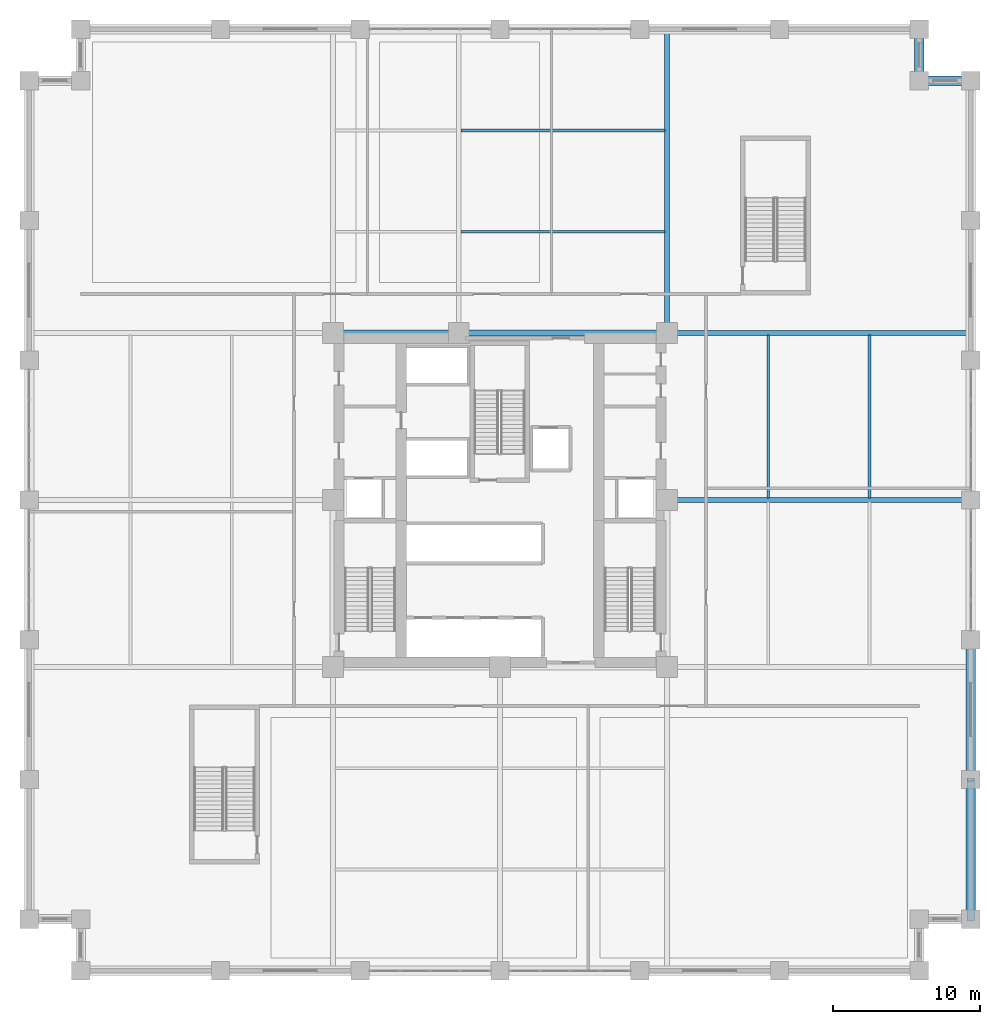
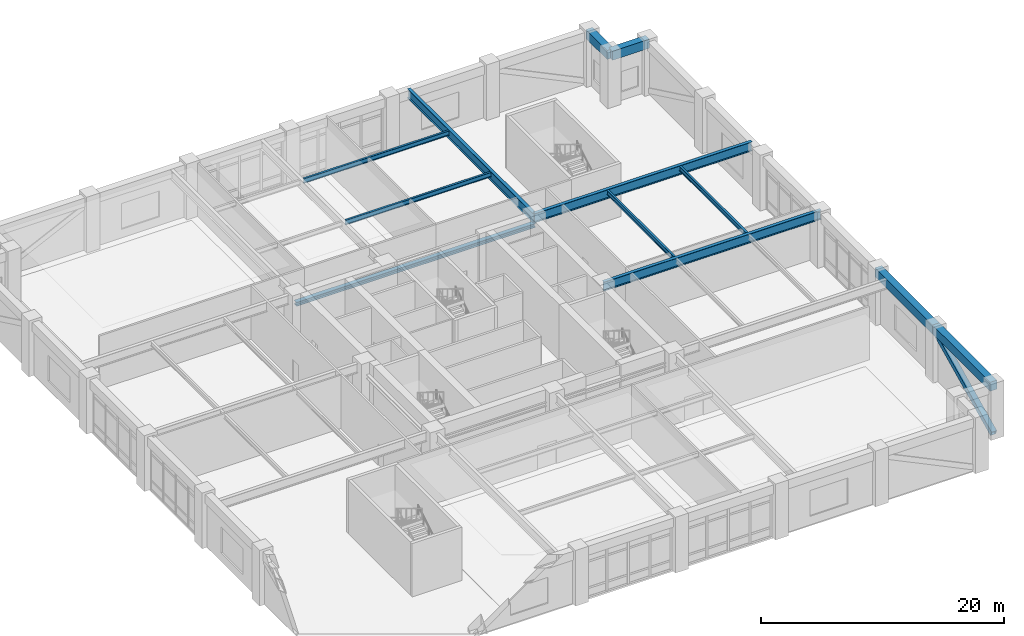
# One storey, part 7 of 21: 11 beams, 2 members.
"""IFC4 building model written with IfcOpenShell, lengths in metres."""

from ifc_helpers import new_model, si_unit, direction, frame, origin, origin_2d, place, context, subcontext, project, spatial, rectangle, hollow_rectangle, i_section, extrude, material, material_profile, profile_set, type_object, element, save


model = new_model("IFC4")

# Units and contexts
model_context = context("Model", 3, precision=1e-05, world=origin(), true_north=direction((0.0, 1.0)))
body_context = subcontext(model_context, "Body", "Model", "MODEL_VIEW")
ifc_project = project(units=[si_unit("LENGTHUNIT", "METRE"), si_unit("AREAUNIT", "SQUARE_METRE"), si_unit("VOLUMEUNIT", "CUBIC_METRE"), si_unit("PLANEANGLEUNIT", "RADIAN"), si_unit("MASSUNIT", "GRAM", prefix="KILO")], contexts=[model_context])

# Site, building, storey
site_placement = place(None, origin())
site = spatial("IfcSite", under=ifc_project, at=site_placement, CompositionType="ELEMENT")
building_placement = place(site_placement, origin())
building = spatial("IfcBuilding", under=site, at=building_placement, Name="Nhamokura Convention Tower", CompositionType="ELEMENT")
storey_placement = place(building_placement, frame((0.0, 0.0, 6.64990234375)))
storey = spatial("IfcBuildingStorey", under=building, at=storey_placement, Name="L01", CompositionType="ELEMENT", Elevation=6.64990234375)

# Beams
ifc_material_1 = material(Name="Steel ASTM A992 Gr 50", Category="steel")
ifc_material_profile_1 = material_profile(ifc_material_1, i_section(OverallWidth=0.19189453125, OverallDepth=0.462890625, WebThickness=0.010498046875, FlangeThickness=0.017578125, at=origin_2d()))
ifc_profile_set_1 = profile_set([ifc_material_profile_1], Name="Steel ASTM A992 Gr 50")
beam_type_1 = type_object("IfcBeamType", Name="FloorJoist_W460X89", PredefinedType="JOIST", material=ifc_profile_set_1)
for number, where, z_axis, x_axis, name in (
    (1, (29.35205078125, 50.2333984375, 5.128662109375), (1.0, 0.0, 0.0), (0.0, 1.0, 0.0), "L01 Composite Floor Joist N1B"),
    (2, (29.35205078125, 57.11669921875, 5.128662109375), (1.0, 0.0, 0.0), (0.0, 1.0, 0.0), "L01 Composite Floor Joist N2B"),
):
    element("IfcBeam", number, at=place(storey_placement, frame(where, z_axis=z_axis, x_axis=x_axis)), inside=storey, type_object=beam_type_1, Name=name, PredefinedType="JOIST", context=body_context, shape_type="SweptSolid", body=[
        extrude(i_section(OverallWidth=0.19189453125, OverallDepth=0.462890625, WebThickness=0.010498046875, FlangeThickness=0.017578125, at=origin_2d()), origin(), (0.0, 0.0, 1.0), 13.845947265625),
    ])
for number, where, z_axis, x_axis, name in (
    (3, (50.2333984375, 32.152099609375, 5.128662109375), (0.0, 1.0, 0.0), (-1.0, 0.0, 0.0), "L01 Composite Floor Joist E1B"),
    (4, (57.11669921875, 32.152099609375, 5.128662109375), (0.0, 1.0, 0.0), (-1.0, 0.0, 0.0), "L01 Composite Floor Joist E2B"),
):
    element("IfcBeam", number, at=place(storey_placement, frame(where, z_axis=z_axis, x_axis=x_axis)), inside=storey, type_object=beam_type_1, Name=name, PredefinedType="JOIST", context=body_context, shape_type="SweptSolid", body=[
        extrude(i_section(OverallWidth=0.19189453125, OverallDepth=0.462890625, WebThickness=0.010498046875, FlangeThickness=0.017578125, at=origin_2d()), origin(), (0.0, 0.0, 1.0), 11.0458984375),
    ])
ifc_material_2 = material(Name="Steel ASTM A992 Gr 50", Category="steel")
ifc_material_profile_2 = material_profile(ifc_material_2, i_section(OverallWidth=0.30810546875, OverallDepth=0.927001953125, WebThickness=0.019287109375, FlangeThickness=0.031982421875, at=origin_2d()))
ifc_profile_set_2 = profile_set([ifc_material_profile_2], Name="Steel ASTM A992 Gr 50")
beam_type_2 = type_object("IfcBeamType", Name="HallGirder_W920X289", PredefinedType="BEAM", material=ifc_profile_set_2)
for number, where, z_axis, x_axis, name in (
    (5, (43.35009765625, 43.35009765625, 4.896484375), (0.0, 1.0, 0.0), (-1.0, 0.0, 0.0), "L01 Primary Floor Girder PG-N3"),
    (6, (43.35009765625, 32.0, 4.896484375), (1.0, 0.0, 0.0), (0.0, 1.0, 0.0), "L01 Primary Floor Girder PG-E2"),
    (7, (43.35009765625, 43.35009765625, 4.896484375), (1.0, 0.0, 0.0), (0.0, 1.0, 0.0), "L01 Primary Floor Girder PG-E3"),
):
    element("IfcBeam", number, at=place(storey_placement, frame(where, z_axis=z_axis, x_axis=x_axis)), inside=storey, type_object=beam_type_2, Name=name, PredefinedType="BEAM", context=body_context, shape_type="SweptSolid", body=[
        extrude(i_section(OverallWidth=0.30810546875, OverallDepth=0.927001953125, WebThickness=0.019287109375, FlangeThickness=0.031982421875, at=origin_2d()), origin(), (0.0, 0.0, 1.0), 20.64990234375),
    ])

# Members
ifc_material_3 = material(Name="Steel ASTM A572 Gr 50", Category="steel")
ifc_material_profile_3 = material_profile(ifc_material_3, i_section(OverallWidth=0.404052734375, OverallDepth=0.406982421875, WebThickness=0.027099609375, FlangeThickness=0.043701171875, at=origin_2d()))
ifc_profile_set_3 = profile_set([ifc_material_profile_3], Name="Steel ASTM A572 Gr 50")
member_type_1 = type_object("IfcMemberType", Name="HallTrussChord_W360X347", PredefinedType="CHORD", material=ifc_profile_set_3)
member_1_placement = place(storey_placement, frame((20.64990234375, 43.35009765625, 4.210205078125), z_axis=(1.0, 0.0, 0.0), x_axis=(0.0, 1.0, 0.0)))
element("IfcMember", 8, at=member_1_placement, inside=storey, type_object=member_type_1, Name="L01 Convention Hall Truss Chord HTC-N", PredefinedType="CHORD", context=body_context, shape_type="SweptSolid", body=[
    extrude(i_section(OverallWidth=0.404052734375, OverallDepth=0.406982421875, WebThickness=0.027099609375, FlangeThickness=0.043701171875, at=origin_2d()), origin(), (0.0, 0.0, 1.0), 22.7001953125),
])
ifc_material_4 = material(Name="Steel ASTM A572 Gr 50", Category="steel")
ifc_material_profile_4 = material_profile(ifc_material_4, hollow_rectangle(XDim=0.5, YDim=0.5, WallThickness=0.02490234375, at=origin_2d()))
ifc_profile_set_4 = profile_set([ifc_material_profile_4], Name="Steel ASTM A572 Gr 50")
member_type_2 = type_object("IfcMemberType", Name="TubeBrace_HSS500", PredefinedType="BRACE", material=ifc_profile_set_4)
member_2_placement = place(storey_placement, frame((64.0, 3.5, 0.150146484375), z_axis=(0.0, 0.901520888263, 0.432735586734), x_axis=(-1.0, 0.0, 0.0)))
element("IfcMember", 9, at=member_2_placement, inside=storey, type_object=member_type_2, Name="L01 Perimeter Tube Brace EAST Bay 0", PredefinedType="BRACE", context=body_context, shape_type="SweptSolid", body=[
    extrude(hollow_rectangle(XDim=0.5, YDim=0.5, WallThickness=0.02490234375, at=origin_2d()), origin(), (0.0, 0.0, 1.0), 10.537841796875),
])

# Beams
ifc_material_5 = material(Name="Concrete C60/75", Category="concrete")
ifc_material_profile_5 = material_profile(ifc_material_5, rectangle(XDim=0.64990234375, YDim=0.89990234375, at=origin_2d()))
ifc_profile_set_5 = profile_set([ifc_material_profile_5], Name="Concrete C60/75")
beam_type_3 = type_object("IfcBeamType", Name="TubeSpandrel_900", PredefinedType="SPANDREL", material=ifc_profile_set_5)
for number, where, z_axis, x_axis, name in (
    (10, (64.0, 3.5, 4.91015625), (0.0, 1.0, 0.0), (-1.0, 0.0, 0.0), "L01 Perimeter Spandrel EAST 1"),
    (11, (64.0, 13.0, 4.91015625), (0.0, 1.0, 0.0), (-1.0, 0.0, 0.0), "L01 Perimeter Spandrel EAST 2"),
):
    element("IfcBeam", number, at=place(storey_placement, frame(where, z_axis=z_axis, x_axis=x_axis)), inside=storey, type_object=beam_type_3, Name=name, PredefinedType="SPANDREL", context=body_context, shape_type="SweptSolid", body=[
        extrude(rectangle(XDim=0.64990234375, YDim=0.89990234375, at=origin_2d()), origin(), (0.0, 0.0, 1.0), 9.5),
    ])
for number, where, z_axis, x_axis, name in (
    (12, (64.0, 60.5, 4.91015625), (-1.0, 0.0, 0.0), (0.0, -1.0, 0.0), "L01 Notch Spandrel NE1"),
    (13, (60.5, 60.5, 4.91015625), (0.0, 1.0, 0.0), (-1.0, 0.0, 0.0), "L01 Notch Spandrel NE2"),
):
    element("IfcBeam", number, at=place(storey_placement, frame(where, z_axis=z_axis, x_axis=x_axis)), inside=storey, type_object=beam_type_3, Name=name, PredefinedType="SPANDREL", context=body_context, shape_type="SweptSolid", body=[
        extrude(rectangle(XDim=0.64990234375, YDim=0.89990234375, at=origin_2d()), origin(), (0.0, 0.0, 1.0), 3.5),
    ])

save(model, "model.ifc")
